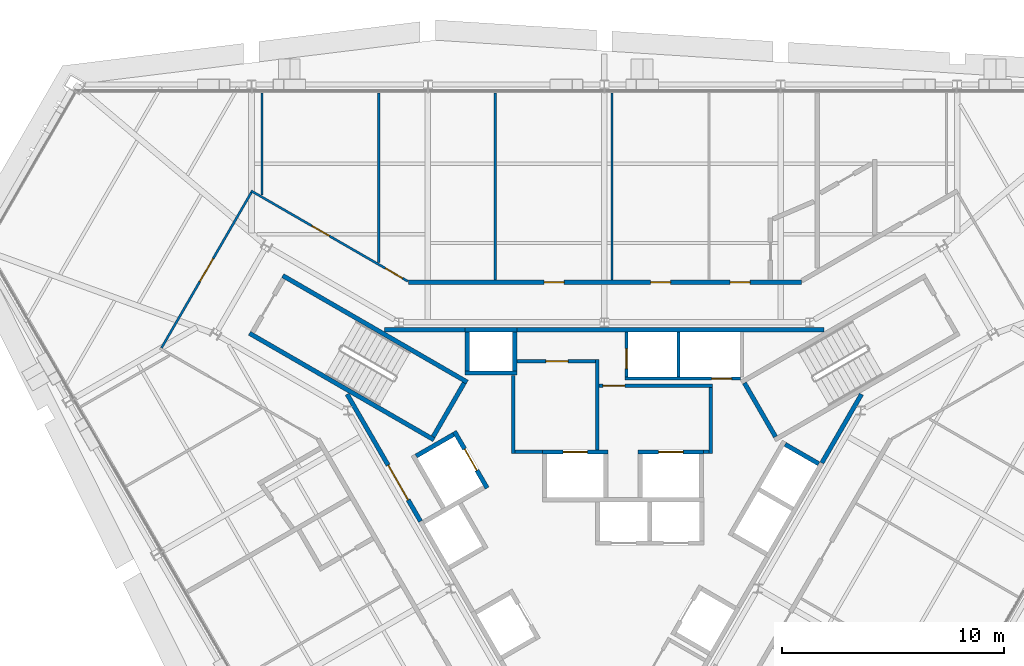
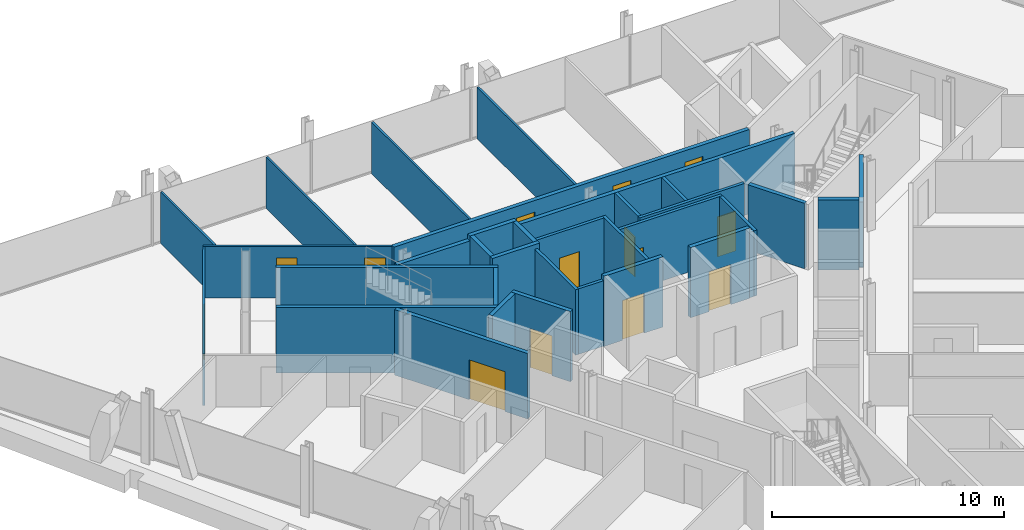
# One storey, part 11 of 14: 34 walls, 14 doors, 14 openings.
"""IFC4 building model written with IfcOpenShell, lengths in metres."""

from ifc_helpers import new_model, si_unit, direction, frame, frame_2d, origin, place, context, subcontext, project, spatial, rectangle, extrude, material, layer, layer_set, type_object, element, fill, save


model = new_model("IFC4")

# Units and contexts
model_context = context("Model", 3, precision=1e-05, world=origin(), true_north=direction((0.0, 1.0)))
body_context = subcontext(model_context, "Body", "Model", "MODEL_VIEW")
ifc_project = project(units=[si_unit("LENGTHUNIT", "METRE"), si_unit("AREAUNIT", "SQUARE_METRE"), si_unit("VOLUMEUNIT", "CUBIC_METRE"), si_unit("PLANEANGLEUNIT", "RADIAN"), si_unit("MASSUNIT", "GRAM", prefix="KILO")], contexts=[model_context])

# Site, building, storey
site_placement = place(None, origin())
site = spatial("IfcSite", under=ifc_project, at=site_placement, CompositionType="ELEMENT")
building_placement = place(site_placement, origin())
building = spatial("IfcBuilding", under=site, at=building_placement, Name="Verrane Prism Tower", CompositionType="ELEMENT")
storey_placement = place(building_placement, frame((0.0, 0.0, 193.199951171875)))
storey = spatial("IfcBuildingStorey", under=building, at=storey_placement, Name="L48", CompositionType="ELEMENT", Elevation=193.199951171875)

# Wall, opening, door
ifc_material_1 = material(Name="Gypsum board partition", Category="other")
ifc_layer_1 = layer(ifc_material_1, 0.199951171875)
ifc_layer_set_1 = layer_set([ifc_layer_1], Name="CW-200 core boundary wall 2 h")
wall_type_1 = type_object("IfcWallType", Name="CW-200 core boundary wall 2 h", PredefinedType="PARTITIONING", material=ifc_layer_set_1)
wall_1_placement = place(storey_placement, frame((-11.590576171875, 4.7548828125, 0.0), z_axis=(0.0, 0.0, 1.0), x_axis=(0.500043977787, -0.866000011708, 0.0)))
wall_1 = element("IfcWall", 1, at=wall_1_placement, inside=storey, type_object=wall_type_1, Name="Core boundary wall CW3-001", PredefinedType="PARTITIONING", context=body_context, shape_type="SweptSolid", body=[
    extrude(rectangle(XDim=6.61669921875, YDim=0.199951171875, at=frame_2d((3.308349609375, 0.0))), origin(), (0.0, 0.0, 1.0), 3.449951171875),
])
opening_1_placement = place(wall_1_placement, frame((3.695068359375, 0.0, 0.0)))
opening_1 = element("IfcOpeningElement", 2, at=opening_1_placement, cuts=wall_1, Name="Opening D47510", PredefinedType="OPENING", context=body_context, shape_type="SweptSolid", body=[
    extrude(rectangle(XDim=1.800048828125, YDim=2.10009765625, at=frame_2d((0.89990234375, 1.050048828125))), frame((0.0, 0.10986328125, 0.0), z_axis=(0.0, -1.0, 0.0), x_axis=(1.0, 0.0, 0.0)), (0.0, 0.0, 1.0), 0.219970703125),
])
ifc_material_2 = material(Name="Timber veneered door leaf", Category="wood")
door_type_1 = type_object("IfcDoorType", Name="DR-1800x2100 FD60 double leaf lift lobby", OperationType="NOTDEFINED", PredefinedType="DOOR", material=ifc_material_2)
door_1_placement = place(opening_1_placement, origin())
door_1 = element("IfcDoor", 3, at=door_1_placement, inside=storey, type_object=door_type_1, Name="Lift lobby door D47510", OperationType="DOUBLE_DOOR_SINGLE_SWING", OverallHeight=2.10009765625, OverallWidth=1.800048828125, PredefinedType="DOOR", context=body_context, shape_type="SweptSolid", body=[
    extrude(rectangle(XDim=1.800048828125, YDim=2.10009765625, at=frame_2d((0.89990234375, 1.050048828125))), frame((0.0, 0.02490234375, 0.0), z_axis=(0.0, -1.0, 0.0), x_axis=(1.0, 0.0, 0.0)), (0.0, 0.0, 1.0), 0.050048828125),
])
fill(opening_1, door_1)

# Walls
wall_2_placement = place(storey_placement, frame((-9.907958984375, 7.659912109375, 0.0), z_axis=(0.0, 0.0, 1.0), x_axis=(1.0, 0.0, 0.0)))
element("IfcWall", 4, at=wall_2_placement, inside=storey, type_object=wall_type_1, Name="Core boundary wall CW3-002", PredefinedType="PARTITIONING", context=body_context, shape_type="SweptSolid", body=[
    extrude(rectangle(XDim=3.620849609375, YDim=0.199951171875, at=frame_2d((1.810546875, 0.0))), origin(), (0.0, 0.0, 1.0), 3.449951171875),
])
wall_3_placement = place(storey_placement, frame((-3.93310546875, 7.659912109375, 0.0), z_axis=(0.0, 0.0, 1.0), x_axis=(1.0, 0.0, 0.0)))
element("IfcWall", 5, at=wall_3_placement, inside=storey, type_object=wall_type_1, Name="Core boundary wall CW3-005", PredefinedType="PARTITIONING", context=body_context, shape_type="SweptSolid", body=[
    extrude(rectangle(XDim=13.841064453125, YDim=0.199951171875, at=frame_2d((6.92041015625, 0.0))), origin(), (0.0, 0.0, 1.0), 3.449951171875),
])
wall_4_placement = place(storey_placement, frame((9.802978515625, 1.657958984375, 0.0), z_axis=(0.0, 0.0, 1.0), x_axis=(0.499943114462, 0.866058244174, 0.0)))
element("IfcWall", 6, at=wall_4_placement, inside=storey, type_object=wall_type_1, Name="Core boundary wall CW3-008", PredefinedType="PARTITIONING", context=body_context, shape_type="SweptSolid", body=[
    extrude(rectangle(XDim=3.57568359375, YDim=0.199951171875, at=frame_2d((1.787841796875, 0.0))), origin(), (0.0, 0.0, 1.0), 3.449951171875),
])
ifc_material_3 = material(Name="Concrete C40/50", Category="concrete")
ifc_layer_2 = layer(ifc_material_3, 0.199951171875)
ifc_layer_set_2 = layer_set([ifc_layer_2], Name="CW-200 stair core wall concrete C40/50 3 h")
wall_type_2 = type_object("IfcWallType", Name="CW-200 stair core wall concrete C40/50 3 h", PredefinedType="PARTITIONING", material=ifc_layer_set_2)
wall_5_placement = place(storey_placement, frame((7.71484375, 2.837646484375, 0.0), z_axis=(0.0, 0.0, 1.0), x_axis=(-0.500049511043, 0.865996816683, 0.0)))
element("IfcWall", 7, at=wall_5_placement, inside=storey, type_object=wall_type_2, Name="Stair 1 enclosure wall", PredefinedType="PARTITIONING", context=body_context, shape_type="SweptSolid", body=[
    extrude(rectangle(XDim=2.800048828125, YDim=0.199951171875, at=frame_2d((1.39990234375, 0.0))), origin(), (0.0, 0.0, 1.0), 3.449951171875),
])
for number, where, z_axis, x_axis, name in (
    (8, (-7.67822265625, 2.700927734375, 0.0), (0.0, 0.0, 1.0), (-0.866019993635, 0.500009370536, 0.0), "Stair 2 enclosure wall"),
    (9, (-6.17822265625, 5.299072265625, 0.0), (0.0, 0.0, 1.0), (-0.866019993635, 0.500009370536, 0.0), "Stair 2 enclosure wall"),
):
    element("IfcWall", number, at=place(storey_placement, frame(where, z_axis=z_axis, x_axis=x_axis)), inside=storey, type_object=wall_type_2, Name=name, PredefinedType="PARTITIONING", context=body_context, shape_type="SweptSolid", body=[
        extrude(rectangle(XDim=9.599853515625, YDim=0.199951171875, at=frame_2d((4.7998046875, 0.0))), origin(), (0.0, 0.0, 1.0), 3.449951171875),
    ])
wall_6_placement = place(storey_placement, frame((-6.314697265625, 5.262451171875, 0.0), z_axis=(0.0, 0.0, 1.0), x_axis=(-0.500049511043, -0.865996816683, 0.0)))
element("IfcWall", 10, at=wall_6_placement, inside=storey, type_object=wall_type_2, Name="Stair 2 enclosure wall", PredefinedType="PARTITIONING", context=body_context, shape_type="SweptSolid", body=[
    extrude(rectangle(XDim=2.800048828125, YDim=0.199951171875, at=frame_2d((1.39990234375, 0.0))), origin(), (0.0, 0.0, 1.0), 3.449951171875),
])

# Wall, opening, door
ifc_material_4 = material(Name="Gypsum board shaft wall assembly", Category="other")
ifc_layer_3 = layer(ifc_material_4, 0.199951171875)
ifc_layer_set_3 = layer_set([ifc_layer_3], Name="HW-200 lift shaft wall 2 h")
wall_type_3 = type_object("IfcWallType", Name="HW-200 lift shaft wall 2 h", PredefinedType="PARTITIONING", material=ifc_layer_set_3)
wall_7_placement = place(storey_placement, frame((-2.784912109375, 2.14990234375, 0.0), z_axis=(0.0, 0.0, 1.0), x_axis=(1.0, 0.0, 0.0)))
wall_7 = element("IfcWall", 11, at=wall_7_placement, inside=storey, type_object=wall_type_3, Name="Lift shaft wall", PredefinedType="PARTITIONING", context=body_context, shape_type="SweptSolid", body=[
    extrude(rectangle(XDim=2.949951171875, YDim=0.199951171875, at=frame_2d((1.47509765625, 0.0))), origin(), (0.0, 0.0, 1.0), 3.699951171875),
])
opening_2_placement = place(wall_7_placement, frame((0.925048828125, 0.0, 0.0)))
opening_2 = element("IfcOpeningElement", 12, at=opening_2_placement, cuts=wall_7, Name="Opening D47507", PredefinedType="OPENING", context=body_context, shape_type="SweptSolid", body=[
    extrude(rectangle(XDim=1.10009765625, YDim=2.10009765625, at=frame_2d((0.550048828125, 1.050048828125))), frame((0.0, 0.10986328125, 0.0), z_axis=(0.0, -1.0, 0.0), x_axis=(1.0, 0.0, 0.0)), (0.0, 0.0, 1.0), 0.219970703125),
])
ifc_material_5 = material(Name="Stainless steel sliding landing door", Category="steel")
door_type_2 = type_object("IfcDoorType", Name="LD-1100x2100 lift landing door FD90 sliding", OperationType="NOTDEFINED", PredefinedType="DOOR", material=ifc_material_5)
door_2_placement = place(opening_2_placement, origin())
door_2 = element("IfcDoor", 13, at=door_2_placement, inside=storey, type_object=door_type_2, Name="Fire service lift 1 landing door", OperationType="SLIDING_TO_LEFT", OverallHeight=2.10009765625, OverallWidth=1.10009765625, PredefinedType="DOOR", context=body_context, shape_type="SweptSolid", body=[
    extrude(rectangle(XDim=1.10009765625, YDim=2.10009765625, at=frame_2d((0.550048828125, 1.050048828125))), frame((0.0, 0.02490234375, 0.0), z_axis=(0.0, -1.0, 0.0), x_axis=(1.0, 0.0, 0.0)), (0.0, 0.0, 1.0), 0.050048828125),
])
fill(opening_2, door_2)

wall_8_placement = place(storey_placement, frame((1.52490234375, 2.14990234375, 0.0), z_axis=(0.0, 0.0, 1.0), x_axis=(1.0, 0.0, 0.0)))
wall_8 = element("IfcWall", 14, at=wall_8_placement, inside=storey, type_object=wall_type_3, Name="Lift shaft wall", PredefinedType="PARTITIONING", context=body_context, shape_type="SweptSolid", body=[
    extrude(rectangle(XDim=2.9501953125, YDim=0.199951171875, at=frame_2d((1.47509765625, 0.0))), origin(), (0.0, 0.0, 1.0), 3.699951171875),
])
opening_3_placement = place(wall_8_placement, frame((0.925048828125, 0.0, 0.0)))
opening_3 = element("IfcOpeningElement", 15, at=opening_3_placement, cuts=wall_8, Name="Opening D47508", PredefinedType="OPENING", context=body_context, shape_type="SweptSolid", body=[
    extrude(rectangle(XDim=1.10009765625, YDim=2.10009765625, at=frame_2d((0.550048828125, 1.050048828125))), frame((0.0, 0.10986328125, 0.0), z_axis=(0.0, -1.0, 0.0), x_axis=(1.0, 0.0, 0.0)), (0.0, 0.0, 1.0), 0.219970703125),
])
door_3_placement = place(opening_3_placement, origin())
door_3 = element("IfcDoor", 16, at=door_3_placement, inside=storey, type_object=door_type_2, Name="Fire service lift 2 landing door", OperationType="SLIDING_TO_RIGHT", OverallHeight=2.10009765625, OverallWidth=1.10009765625, PredefinedType="DOOR", context=body_context, shape_type="SweptSolid", body=[
    extrude(rectangle(XDim=1.10009765625, YDim=2.10009765625, at=frame_2d((0.550048828125, 1.050048828125))), frame((0.0, 0.02490234375, 0.0), z_axis=(0.0, -1.0, 0.0), x_axis=(1.0, 0.0, 0.0)), (0.0, 0.0, 1.0), 0.050048828125),
])
fill(opening_3, door_3)

# Walls
for number, where, z_axis, x_axis, name in (
    (17, (-6.284912109375, 5.7099609375, 0.0), (0.0, 0.0, 1.0), (1.0, 0.0, 0.0), "Lift shaft wall"),
    (18, (-6.284912109375, 7.659912109375, 0.0), (0.0, 0.0, 1.0), (1.0, 0.0, 0.0), "Lift shaft wall"),
):
    element("IfcWall", number, at=place(storey_placement, frame(where, z_axis=z_axis, x_axis=x_axis)), inside=storey, type_object=wall_type_3, Name=name, PredefinedType="PARTITIONING", context=body_context, shape_type="SweptSolid", body=[
        extrude(rectangle(XDim=2.349853515625, YDim=0.199951171875, at=frame_2d((1.1748046875, 0.0))), origin(), (0.0, 0.0, 1.0), 3.699951171875),
    ])
wall_9_placement = place(storey_placement, frame((-8.48046875, 1.968505859375, 0.0), z_axis=(0.0, 0.0, 1.0), x_axis=(0.866000020948, 0.500043961785, 0.0)))
element("IfcWall", 19, at=wall_9_placement, inside=storey, type_object=wall_type_3, Name="Lift shaft wall", PredefinedType="PARTITIONING", context=body_context, shape_type="SweptSolid", body=[
    extrude(rectangle(XDim=1.949951171875, YDim=0.199951171875, at=frame_2d((0.97509765625, 0.0))), origin(), (0.0, 0.0, 1.0), 3.699951171875),
])
for number, where, z_axis, x_axis, name in (
    (20, (-4.034912109375, 5.81005859375, 0.0), (0.0, 0.0, 1.0), (0.0, 1.0, 0.0), "Lift shaft wall"),
    (21, (-6.18505859375, 5.81005859375, 0.0), (0.0, 0.0, 1.0), (0.0, 1.0, 0.0), "Lift shaft wall"),
):
    element("IfcWall", number, at=place(storey_placement, frame(where, z_axis=z_axis, x_axis=x_axis)), inside=storey, type_object=wall_type_3, Name=name, PredefinedType="PARTITIONING", context=body_context, shape_type="SweptSolid", body=[
        extrude(rectangle(XDim=1.75, YDim=0.199951171875, at=frame_2d((0.875, 0.0))), origin(), (0.0, 0.0, 1.0), 3.699951171875),
    ])

# Wall, opening, door
wall_10_placement = place(storey_placement, frame((-5.280029296875, 0.525390625, 0.0), z_axis=(0.0, 0.0, 1.0), x_axis=(-0.500037662692, 0.866003658127, 0.0)))
wall_10 = element("IfcWall", 22, at=wall_10_placement, inside=storey, type_object=wall_type_3, Name="Lift shaft wall", PredefinedType="PARTITIONING", context=body_context, shape_type="SweptSolid", body=[
    extrude(rectangle(XDim=2.949951171875, YDim=0.199951171875, at=frame_2d((1.47509765625, 0.0))), origin(), (0.0, 0.0, 1.0), 3.699951171875),
])
opening_4_placement = place(wall_10_placement, frame((0.925048828125, 0.0, 0.0)))
opening_4 = element("IfcOpeningElement", 23, at=opening_4_placement, cuts=wall_10, Name="Opening D47509", PredefinedType="OPENING", context=body_context, shape_type="SweptSolid", body=[
    extrude(rectangle(XDim=1.10009765625, YDim=2.10009765625, at=frame_2d((0.550048828125, 1.050048828125))), frame((0.0, 0.10986328125, 0.0), z_axis=(0.0, -1.0, 0.0), x_axis=(1.0, 0.0, 0.0)), (0.0, 0.0, 1.0), 0.219970703125),
])
door_4_placement = place(opening_4_placement, origin())
door_4 = element("IfcDoor", 24, at=door_4_placement, inside=storey, type_object=door_type_2, Name="Service lift 1 landing door", OperationType="SLIDING_TO_LEFT", OverallHeight=2.10009765625, OverallWidth=1.10009765625, PredefinedType="DOOR", context=body_context, shape_type="SweptSolid", body=[
    extrude(rectangle(XDim=1.10009765625, YDim=2.10009765625, at=frame_2d((0.550048828125, 1.050048828125))), frame((0.0, 0.02490234375, 0.0), z_axis=(0.0, -1.0, 0.0), x_axis=(1.0, 0.0, 0.0)), (0.0, 0.0, 1.0), 0.050048828125),
])
fill(opening_4, door_4)

# Walls
wall_11_placement = place(storey_placement, frame((9.66455078125, 1.61962890625, 0.0), z_axis=(0.0, 0.0, 1.0), x_axis=(-0.866002029911, 0.500040482552, 0.0)))
element("IfcWall", 25, at=wall_11_placement, inside=storey, type_object=wall_type_3, Name="Lift shaft wall", PredefinedType="PARTITIONING", context=body_context, shape_type="SweptSolid", body=[
    extrude(rectangle(XDim=1.749755859375, YDim=0.199951171875, at=frame_2d((0.875, 0.0))), origin(), (0.0, 0.0, 1.0), 3.699951171875),
])
ifc_material_6 = material(Name="Gypsum board partition", Category="other")
ifc_layer_4 = layer(ifc_material_6, 0.14990234375)
ifc_layer_set_4 = layer_set([ifc_layer_4], Name="LF-150 firefighting lobby wall 1 h")
wall_type_4 = type_object("IfcWallType", Name="LF-150 firefighting lobby wall 1 h", PredefinedType="PARTITIONING", material=ifc_layer_set_4)
wall_12_placement = place(storey_placement, frame((-4.10009765625, 2.0849609375, 0.0), z_axis=(0.0, 0.0, 1.0), x_axis=(0.0, 1.0, 0.0)))
element("IfcWall", 26, at=wall_12_placement, inside=storey, type_object=wall_type_4, Name="Firefighting lobby wall LF1-001", PredefinedType="PARTITIONING", context=body_context, shape_type="SweptSolid", body=[
    extrude(rectangle(XDim=3.52294921875, YDim=0.14990234375, at=frame_2d((1.761474609375, 0.0))), origin(), (0.0, 0.0, 1.0), 3.449951171875),
])
wall_13_placement = place(storey_placement, frame((-4.02490234375, 2.159912109375, 0.0), z_axis=(0.0, 0.0, 1.0), x_axis=(1.0, 0.0, 0.0)))
element("IfcWall", 27, at=wall_13_placement, inside=storey, type_object=wall_type_4, Name="Firefighting lobby wall LF1-002", PredefinedType="PARTITIONING", context=body_context, shape_type="SweptSolid", body=[
    extrude(rectangle(XDim=1.23779296875, YDim=0.14990234375, at=frame_2d((0.618896484375, 0.0))), origin(), (0.0, 0.0, 1.0), 3.449951171875),
])

# Wall, opening, door
wall_14_placement = place(storey_placement, frame((-3.93310546875, 6.239990234375, 0.0), z_axis=(0.0, 0.0, 1.0), x_axis=(1.0, 0.0, 0.0)))
wall_14 = element("IfcWall", 28, at=wall_14_placement, inside=storey, type_object=wall_type_4, Name="Firefighting lobby wall LF1-003", PredefinedType="PARTITIONING", context=body_context, shape_type="SweptSolid", body=[
    extrude(rectangle(XDim=3.5380859375, YDim=0.14990234375, at=frame_2d((1.76904296875, 0.0))), origin(), (0.0, 0.0, 1.0), 3.449951171875),
])
opening_5_placement = place(wall_14_placement, frame((1.300048828125, 0.0, 0.0)))
opening_5 = element("IfcOpeningElement", 29, at=opening_5_placement, cuts=wall_14, Name="Opening D47512", PredefinedType="OPENING", context=body_context, shape_type="SweptSolid", body=[
    extrude(rectangle(XDim=1.0, YDim=2.10009765625, at=frame_2d((0.5, 1.050048828125))), frame((0.0, 0.0849609375, 0.0), z_axis=(0.0, -1.0, 0.0), x_axis=(1.0, 0.0, 0.0)), (0.0, 0.0, 1.0), 0.169921875),
])
ifc_material_7 = material(Name="Timber veneered door leaf", Category="wood")
door_type_3 = type_object("IfcDoorType", Name="DR-1000x2100 FD60 single leaf firefighting lobby", OperationType="NOTDEFINED", PredefinedType="DOOR", material=ifc_material_7)
door_5_placement = place(opening_5_placement, origin())
door_5 = element("IfcDoor", 30, at=door_5_placement, inside=storey, type_object=door_type_3, Name="Firefighting lobby door D47512", OperationType="SINGLE_SWING_LEFT", OverallHeight=2.10009765625, OverallWidth=1.0, PredefinedType="DOOR", context=body_context, shape_type="SweptSolid", body=[
    extrude(rectangle(XDim=1.0, YDim=2.10009765625, at=frame_2d((0.5, 1.050048828125))), frame((0.0, 0.02490234375, 0.0), z_axis=(0.0, -1.0, 0.0), x_axis=(1.0, 0.0, 0.0)), (0.0, 0.0, 1.0), 0.050048828125),
])
fill(opening_5, door_5)

# Wall
wall_15_placement = place(storey_placement, frame((-0.320068359375, 2.251953125, 0.0), z_axis=(0.0, 0.0, 1.0), x_axis=(0.0, 1.0, 0.0)))
element("IfcWall", 31, at=wall_15_placement, inside=storey, type_object=wall_type_4, Name="Firefighting lobby wall LF1-004", PredefinedType="PARTITIONING", context=body_context, shape_type="SweptSolid", body=[
    extrude(rectangle(XDim=4.06298828125, YDim=0.14990234375, at=frame_2d((2.031494140625, 0.0))), origin(), (0.0, 0.0, 1.0), 3.449951171875),
])

# Wall, opening, door
wall_16_placement = place(storey_placement, frame((-0.2451171875, 5.139892578125, 0.0), z_axis=(0.0, 0.0, 1.0), x_axis=(1.0, 0.0, 0.0)))
wall_16 = element("IfcWall", 32, at=wall_16_placement, inside=storey, type_object=wall_type_4, Name="Firefighting lobby wall LF1-005", PredefinedType="PARTITIONING", context=body_context, shape_type="SweptSolid", body=[
    extrude(rectangle(XDim=5.110107421875, YDim=0.14990234375, at=frame_2d((2.55517578125, 0.0))), origin(), (0.0, 0.0, 1.0), 3.449951171875),
])
opening_6_placement = place(wall_16_placement, frame((0.175048828125, 0.0, 0.0)))
opening_6 = element("IfcOpeningElement", 33, at=opening_6_placement, cuts=wall_16, Name="Opening D47513", PredefinedType="OPENING", context=body_context, shape_type="SweptSolid", body=[
    extrude(rectangle(XDim=1.0, YDim=2.10009765625, at=frame_2d((0.5, 1.050048828125))), frame((0.0, 0.0849609375, 0.0), z_axis=(0.0, -1.0, 0.0), x_axis=(1.0, 0.0, 0.0)), (0.0, 0.0, 1.0), 0.169921875),
])
door_6_placement = place(opening_6_placement, origin())
door_6 = element("IfcDoor", 34, at=door_6_placement, inside=storey, type_object=door_type_3, Name="Firefighting lobby door D47513", OperationType="SINGLE_SWING_LEFT", OverallHeight=2.10009765625, OverallWidth=1.0, PredefinedType="DOOR", context=body_context, shape_type="SweptSolid", body=[
    extrude(rectangle(XDim=1.0, YDim=2.10009765625, at=frame_2d((0.5, 1.050048828125))), frame((0.0, 0.02490234375, 0.0), z_axis=(0.0, -1.0, 0.0), x_axis=(1.0, 0.0, 0.0)), (0.0, 0.0, 1.0), 0.050048828125),
])
fill(opening_6, door_6)

# Walls
wall_17_placement = place(storey_placement, frame((4.47705078125, 2.159912109375, 0.0), z_axis=(0.0, 0.0, 1.0), x_axis=(1.0, 0.0, 0.0)))
element("IfcWall", 35, at=wall_17_placement, inside=storey, type_object=wall_type_4, Name="Firefighting lobby wall LF1-006", PredefinedType="PARTITIONING", context=body_context, shape_type="SweptSolid", body=[
    extrude(rectangle(XDim=0.238037109375, YDim=0.14990234375, at=frame_2d((0.119140625, 0.0))), origin(), (0.0, 0.0, 1.0), 3.449951171875),
])
wall_18_placement = place(storey_placement, frame((4.7900390625, 2.0849609375, 0.0), z_axis=(0.0, 0.0, 1.0), x_axis=(0.0, 1.0, 0.0)))
element("IfcWall", 36, at=wall_18_placement, inside=storey, type_object=wall_type_4, Name="Firefighting lobby wall LF1-007", PredefinedType="PARTITIONING", context=body_context, shape_type="SweptSolid", body=[
    extrude(rectangle(XDim=2.97998046875, YDim=0.14990234375, at=frame_2d((1.489990234375, 0.0))), origin(), (0.0, 0.0, 1.0), 3.449951171875),
])

# Wall, opening, door
ifc_material_8 = material(Name="Gypsum board partition", Category="other")
ifc_layer_5 = layer(ifc_material_8, 0.10009765625)
ifc_layer_set_5 = layer_set([ifc_layer_5], Name="PW-100 room partition")
wall_type_5 = type_object("IfcWallType", Name="PW-100 room partition", PredefinedType="PARTITIONING", material=ifc_layer_set_5)
wall_19_placement = place(storey_placement, frame((-19.955078125, 6.84423828125, 0.0), z_axis=(0.0, 0.0, 1.0), x_axis=(0.500415732313, 0.865785247537, 0.0)))
wall_19 = element("IfcWall", 37, at=wall_19_placement, inside=storey, type_object=wall_type_5, Name="Room partition 003", PredefinedType="PARTITIONING", context=body_context, shape_type="SweptSolid", body=[
    extrude(rectangle(XDim=8.09716796875, YDim=0.10009765625, at=frame_2d((4.048583984375, 0.0))), origin(), (0.0, 0.0, 1.0), 2.713134765625),
])
opening_7_placement = place(wall_19_placement, frame((3.449951171875, 0.0, 0.0)))
opening_7 = element("IfcOpeningElement", 38, at=opening_7_placement, cuts=wall_19, Name="Opening D47018", PredefinedType="OPENING", context=body_context, shape_type="SweptSolid", body=[
    extrude(rectangle(XDim=1.199951171875, YDim=2.10009765625, at=frame_2d((0.60009765625, 1.050048828125))), frame((0.0, 0.06005859375, 0.0), z_axis=(0.0, -1.0, 0.0), x_axis=(1.0, 0.0, 0.0)), (0.0, 0.0, 1.0), 0.1201171875),
])
ifc_material_9 = material(Name="Timber veneered door leaf", Category="wood")
door_type_4 = type_object("IfcDoorType", Name="DR-1200x2100 single leaf unit", OperationType="NOTDEFINED", PredefinedType="DOOR", material=ifc_material_9)
door_7_placement = place(opening_7_placement, origin())
door_7 = element("IfcDoor", 39, at=door_7_placement, inside=storey, type_object=door_type_4, Name="Living And Dining Room door", OperationType="SINGLE_SWING_RIGHT", OverallHeight=2.10009765625, OverallWidth=1.199951171875, PredefinedType="DOOR", context=body_context, shape_type="SweptSolid", body=[
    extrude(rectangle(XDim=1.199951171875, YDim=2.10009765625, at=frame_2d((0.60009765625, 1.050048828125))), frame((0.0, 0.02490234375, 0.0), z_axis=(0.0, -1.0, 0.0), x_axis=(1.0, 0.0, 0.0)), (0.0, 0.0, 1.0), 0.050048828125),
])
fill(opening_7, door_7)

# Wall, openings, doors
wall_20_placement = place(storey_placement, frame((-15.92138671875, 13.923095703125, 0.0), z_axis=(0.0, 0.0, 1.0), x_axis=(0.866088973199, -0.499889878377, 0.0)))
wall_20 = element("IfcWall", 40, at=wall_20_placement, inside=storey, type_object=wall_type_5, Name="Room partition 007", PredefinedType="PARTITIONING", context=body_context, shape_type="SweptSolid", body=[
    extrude(rectangle(XDim=8.162841796875, YDim=0.10009765625, at=frame_2d((4.08154296875, 0.0))), origin(), (0.0, 0.0, 1.0), 2.713134765625),
])
opening_8_placement = place(wall_20_placement, frame((6.989990234375, 0.0, 0.0)))
opening_8 = element("IfcOpeningElement", 41, at=opening_8_placement, cuts=wall_20, Name="Opening D47016", PredefinedType="OPENING", context=body_context, shape_type="SweptSolid", body=[
    extrude(rectangle(XDim=0.89990234375, YDim=2.10009765625, at=frame_2d((0.449951171875, 1.050048828125))), frame((0.0, 0.06005859375, 0.0), z_axis=(0.0, -1.0, 0.0), x_axis=(1.0, 0.0, 0.0)), (0.0, 0.0, 1.0), 0.1201171875),
])
opening_9_placement = place(wall_20_placement, frame((3.172119140625, 0.0, 0.0)))
opening_9 = element("IfcOpeningElement", 42, at=opening_9_placement, cuts=wall_20, Name="Opening D47017", PredefinedType="OPENING", context=body_context, shape_type="SweptSolid", body=[
    extrude(rectangle(XDim=0.89990234375, YDim=2.10009765625, at=frame_2d((0.449951171875, 1.050048828125))), frame((0.0, 0.06005859375, 0.0), z_axis=(0.0, -1.0, 0.0), x_axis=(1.0, 0.0, 0.0)), (0.0, 0.0, 1.0), 0.1201171875),
])
ifc_material_10 = material(Name="Timber veneered door leaf", Category="wood")
door_type_5 = type_object("IfcDoorType", Name="DR-900x2100 single leaf unit", OperationType="NOTDEFINED", PredefinedType="DOOR", material=ifc_material_10)
door_8_placement = place(opening_8_placement, origin())
door_8 = element("IfcDoor", 43, at=door_8_placement, inside=storey, type_object=door_type_5, Name="Study door", OperationType="SINGLE_SWING_RIGHT", OverallHeight=2.10009765625, OverallWidth=0.89990234375, PredefinedType="DOOR", context=body_context, shape_type="SweptSolid", body=[
    extrude(rectangle(XDim=0.89990234375, YDim=2.10009765625, at=frame_2d((0.449951171875, 1.050048828125))), frame((0.0, 0.02490234375, 0.0), z_axis=(0.0, -1.0, 0.0), x_axis=(1.0, 0.0, 0.0)), (0.0, 0.0, 1.0), 0.050048828125),
])
fill(opening_8, door_8)
door_9_placement = place(opening_9_placement, origin())
door_9 = element("IfcDoor", 44, at=door_9_placement, inside=storey, type_object=door_type_5, Name="Study door", OperationType="SINGLE_SWING_LEFT", OverallHeight=2.10009765625, OverallWidth=0.89990234375, PredefinedType="DOOR", context=body_context, shape_type="SweptSolid", body=[
    extrude(rectangle(XDim=0.89990234375, YDim=2.10009765625, at=frame_2d((0.449951171875, 1.050048828125))), frame((0.0, 0.02490234375, 0.0), z_axis=(0.0, -1.0, 0.0), x_axis=(1.0, 0.0, 0.0)), (0.0, 0.0, 1.0), 0.050048828125),
])
fill(opening_9, door_9)

# Walls
wall_21_placement = place(storey_placement, frame((-15.426025390625, 13.7236328125, 0.0), z_axis=(0.0, 0.0, 1.0), x_axis=(0.0, 1.0, 0.0)))
element("IfcWall", 45, at=wall_21_placement, inside=storey, type_object=wall_type_5, Name="Room partition 010", PredefinedType="PARTITIONING", context=body_context, shape_type="SweptSolid", body=[
    extrude(rectangle(XDim=4.611328125, YDim=0.10009765625, at=frame_2d((2.3056640625, 0.0))), origin(), (0.0, 0.0, 1.0), 2.713134765625),
])
wall_22_placement = place(storey_placement, frame((-10.169921875, 10.690673828125, 0.0), z_axis=(0.0, 0.0, 1.0), x_axis=(0.0, 1.0, 0.0)))
element("IfcWall", 46, at=wall_22_placement, inside=storey, type_object=wall_type_5, Name="Room partition 016", PredefinedType="PARTITIONING", context=body_context, shape_type="SweptSolid", body=[
    extrude(rectangle(XDim=7.644287109375, YDim=0.10009765625, at=frame_2d((3.822265625, 0.0))), origin(), (0.0, 0.0, 1.0), 2.713134765625),
])
for number, where, z_axis, x_axis, name in (
    (47, (-4.9150390625, 9.89990234375, 0.0), (0.0, 0.0, 1.0), (0.0, 1.0, 0.0), "Room partition 020"),
    (48, (0.341064453125, 9.89990234375, 0.0), (0.0, 0.0, 1.0), (0.0, 1.0, 0.0), "Room partition 026"),
):
    element("IfcWall", number, at=place(storey_placement, frame(where, z_axis=z_axis, x_axis=x_axis)), inside=storey, type_object=wall_type_5, Name=name, PredefinedType="PARTITIONING", context=body_context, shape_type="SweptSolid", body=[
        extrude(rectangle(XDim=8.43505859375, YDim=0.10009765625, at=frame_2d((4.217529296875, 0.0))), origin(), (0.0, 0.0, 1.0), 2.713134765625),
    ])

# Wall, openings, doors
ifc_material_11 = material(Name="Gypsum board partition", Category="other")
ifc_layer_6 = layer(ifc_material_11, 0.199951171875)
ifc_layer_set_6 = layer_set([ifc_layer_6], Name="PW-200 plumbing wall")
wall_type_6 = type_object("IfcWallType", Name="PW-200 plumbing wall", PredefinedType="PARTITIONING", material=ifc_layer_set_6)
wall_23_placement = place(storey_placement, frame((-8.827880859375, 9.800048828125, 0.0), z_axis=(0.0, 0.0, 1.0), x_axis=(1.0, 0.0, 0.0)))
wall_23 = element("IfcWall", 49, at=wall_23_placement, inside=storey, type_object=wall_type_6, Name="Plumbing wall 018", PredefinedType="PARTITIONING", context=body_context, shape_type="SweptSolid", body=[
    extrude(rectangle(XDim=17.705810546875, YDim=0.199951171875, at=frame_2d((8.85302734375, 0.0))), origin(), (0.0, 0.0, 1.0), 2.713134765625),
])
opening_10_placement = place(wall_23_placement, frame((14.498046875, 0.0, 0.0)))
opening_10 = element("IfcOpeningElement", 50, at=opening_10_placement, cuts=wall_23, Name="Opening D47012", PredefinedType="OPENING", context=body_context, shape_type="SweptSolid", body=[
    extrude(rectangle(XDim=0.89990234375, YDim=2.10009765625, at=frame_2d((0.449951171875, 1.050048828125))), frame((0.0, 0.10986328125, 0.0), z_axis=(0.0, -1.0, 0.0), x_axis=(1.0, 0.0, 0.0)), (0.0, 0.0, 1.0), 0.219970703125),
])
opening_11_placement = place(wall_23_placement, frame((10.9189453125, 0.0, 0.0)))
opening_11 = element("IfcOpeningElement", 51, at=opening_11_placement, cuts=wall_23, Name="Opening D47014", PredefinedType="OPENING", context=body_context, shape_type="SweptSolid", body=[
    extrude(rectangle(XDim=0.89990234375, YDim=2.10009765625, at=frame_2d((0.449951171875, 1.050048828125))), frame((0.0, 0.10986328125, 0.0), z_axis=(0.0, -1.0, 0.0), x_axis=(1.0, 0.0, 0.0)), (0.0, 0.0, 1.0), 0.219970703125),
])
opening_12_placement = place(wall_23_placement, frame((6.113037109375, 0.0, 0.0)))
opening_12 = element("IfcOpeningElement", 52, at=opening_12_placement, cuts=wall_23, Name="Opening D47015", PredefinedType="OPENING", context=body_context, shape_type="SweptSolid", body=[
    extrude(rectangle(XDim=0.89990234375, YDim=2.10009765625, at=frame_2d((0.449951171875, 1.050048828125))), frame((0.0, 0.10986328125, 0.0), z_axis=(0.0, -1.0, 0.0), x_axis=(1.0, 0.0, 0.0)), (0.0, 0.0, 1.0), 0.219970703125),
])
ifc_material_12 = material(Name="Timber veneered door leaf", Category="wood")
door_type_6 = type_object("IfcDoorType", Name="DR-900x2100 single leaf inner", OperationType="NOTDEFINED", PredefinedType="DOOR", material=ifc_material_12)
door_10_placement = place(opening_10_placement, origin())
door_10 = element("IfcDoor", 53, at=door_10_placement, inside=storey, type_object=door_type_6, Name="Bedroom door", OperationType="SINGLE_SWING_RIGHT", OverallHeight=2.10009765625, OverallWidth=0.89990234375, PredefinedType="DOOR", context=body_context, shape_type="SweptSolid", body=[
    extrude(rectangle(XDim=0.89990234375, YDim=2.10009765625, at=frame_2d((0.449951171875, 1.050048828125))), frame((0.0, 0.02490234375, 0.0), z_axis=(0.0, -1.0, 0.0), x_axis=(1.0, 0.0, 0.0)), (0.0, 0.0, 1.0), 0.050048828125),
])
fill(opening_10, door_10)
door_11_placement = place(opening_11_placement, origin())
door_11 = element("IfcDoor", 54, at=door_11_placement, inside=storey, type_object=door_type_5, Name="Kitchen door", OperationType="SINGLE_SWING_RIGHT", OverallHeight=2.10009765625, OverallWidth=0.89990234375, PredefinedType="DOOR", context=body_context, shape_type="SweptSolid", body=[
    extrude(rectangle(XDim=0.89990234375, YDim=2.10009765625, at=frame_2d((0.449951171875, 1.050048828125))), frame((0.0, 0.02490234375, 0.0), z_axis=(0.0, -1.0, 0.0), x_axis=(1.0, 0.0, 0.0)), (0.0, 0.0, 1.0), 0.050048828125),
])
fill(opening_11, door_11)
door_12_placement = place(opening_12_placement, origin())
door_12 = element("IfcDoor", 55, at=door_12_placement, inside=storey, type_object=door_type_5, Name="Study door", OperationType="SINGLE_SWING_LEFT", OverallHeight=2.10009765625, OverallWidth=0.89990234375, PredefinedType="DOOR", context=body_context, shape_type="SweptSolid", body=[
    extrude(rectangle(XDim=0.89990234375, YDim=2.10009765625, at=frame_2d((0.449951171875, 1.050048828125))), frame((0.0, 0.02490234375, 0.0), z_axis=(0.0, -1.0, 0.0), x_axis=(1.0, 0.0, 0.0)), (0.0, 0.0, 1.0), 0.050048828125),
])
fill(opening_12, door_12)

# Wall, opening, door
ifc_material_13 = material(Name="Gypsum board partition", Category="other")
ifc_layer_7 = layer(ifc_material_13, 0.14990234375)
ifc_layer_set_7 = layer_set([ifc_layer_7], Name="RS-150 riser enclosure wall 1 h")
wall_type_7 = type_object("IfcWallType", Name="RS-150 riser enclosure wall 1 h", PredefinedType="PARTITIONING", material=ifc_layer_set_7)
wall_24_placement = place(storey_placement, frame((1.0, 7.56005859375, 0.0), z_axis=(0.0, 0.0, 1.0), x_axis=(0.0, -1.0, 0.0)))
wall_24 = element("IfcWall", 56, at=wall_24_placement, inside=storey, type_object=wall_type_7, Name="Riser wall RS3-001", PredefinedType="PARTITIONING", context=body_context, shape_type="SweptSolid", body=[
    extrude(rectangle(XDim=2.025146484375, YDim=0.14990234375, at=frame_2d((1.0126953125, 0.0))), origin(), (0.0, 0.0, 1.0), 3.449951171875),
])
opening_13_placement = place(wall_24_placement, frame((0.75, 0.0, 0.0)))
opening_13 = element("IfcOpeningElement", 57, at=opening_13_placement, cuts=wall_24, Name="Opening D47514", PredefinedType="OPENING", context=body_context, shape_type="SweptSolid", body=[
    extrude(rectangle(XDim=0.89990234375, YDim=2.10009765625, at=frame_2d((0.449951171875, 1.050048828125))), frame((0.0, 0.0849609375, 0.0), z_axis=(0.0, -1.0, 0.0), x_axis=(1.0, 0.0, 0.0)), (0.0, 0.0, 1.0), 0.169921875),
])
ifc_material_14 = material(Name="Timber veneered door leaf", Category="wood")
door_type_7 = type_object("IfcDoorType", Name="DR-900x2100 FD60 single leaf riser", OperationType="NOTDEFINED", PredefinedType="DOOR", material=ifc_material_14)
door_13_placement = place(opening_13_placement, origin())
door_13 = element("IfcDoor", 58, at=door_13_placement, inside=storey, type_object=door_type_7, Name="Riser door D47514", OperationType="SINGLE_SWING_RIGHT", OverallHeight=2.10009765625, OverallWidth=0.89990234375, PredefinedType="DOOR", context=body_context, shape_type="SweptSolid", body=[
    extrude(rectangle(XDim=0.89990234375, YDim=2.10009765625, at=frame_2d((0.449951171875, 1.050048828125))), frame((0.0, 0.02490234375, 0.0), z_axis=(0.0, -1.0, 0.0), x_axis=(1.0, 0.0, 0.0)), (0.0, 0.0, 1.0), 0.050048828125),
])
fill(opening_13, door_13)

wall_25_placement = place(storey_placement, frame((0.925048828125, 5.4599609375, 0.0), z_axis=(0.0, 0.0, 1.0), x_axis=(1.0, 0.0, 0.0)))
wall_25 = element("IfcWall", 59, at=wall_25_placement, inside=storey, type_object=wall_type_7, Name="Riser wall RS3-002", PredefinedType="PARTITIONING", context=body_context, shape_type="SweptSolid", body=[
    extrude(rectangle(XDim=5.219970703125, YDim=0.14990234375, at=frame_2d((2.60986328125, 0.0))), origin(), (0.0, 0.0, 1.0), 3.449951171875),
])
opening_14_placement = place(wall_25_placement, frame((3.9150390625, 0.0, 0.0)))
opening_14 = element("IfcOpeningElement", 60, at=opening_14_placement, cuts=wall_25, Name="Opening D47515", PredefinedType="OPENING", context=body_context, shape_type="SweptSolid", body=[
    extrude(rectangle(XDim=0.89990234375, YDim=2.10009765625, at=frame_2d((0.449951171875, 1.050048828125))), frame((0.0, 0.0849609375, 0.0), z_axis=(0.0, -1.0, 0.0), x_axis=(1.0, 0.0, 0.0)), (0.0, 0.0, 1.0), 0.169921875),
])
door_14_placement = place(opening_14_placement, origin())
door_14 = element("IfcDoor", 61, at=door_14_placement, inside=storey, type_object=door_type_7, Name="Riser door D47515", OperationType="SINGLE_SWING_RIGHT", OverallHeight=2.10009765625, OverallWidth=0.89990234375, PredefinedType="DOOR", context=body_context, shape_type="SweptSolid", body=[
    extrude(rectangle(XDim=0.89990234375, YDim=2.10009765625, at=frame_2d((0.449951171875, 1.050048828125))), frame((0.0, 0.02490234375, 0.0), z_axis=(0.0, -1.0, 0.0), x_axis=(1.0, 0.0, 0.0)), (0.0, 0.0, 1.0), 0.050048828125),
])
fill(opening_14, door_14)

# Wall
wall_26_placement = place(storey_placement, frame((3.340087890625, 5.534912109375, 0.0), z_axis=(0.0, 0.0, 1.0), x_axis=(0.0, 1.0, 0.0)))
element("IfcWall", 62, at=wall_26_placement, inside=storey, type_object=wall_type_7, Name="Riser wall RS3-006", PredefinedType="PARTITIONING", context=body_context, shape_type="SweptSolid", body=[
    extrude(rectangle(XDim=2.025146484375, YDim=0.14990234375, at=frame_2d((1.0126953125, 0.0))), origin(), (0.0, 0.0, 1.0), 3.449951171875),
])

save(model, "model.ifc")
